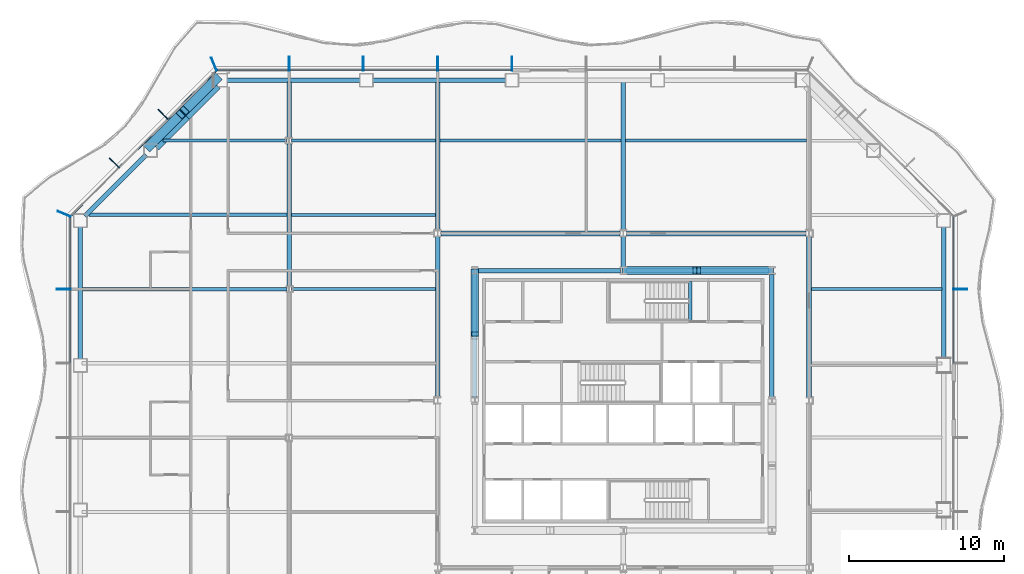
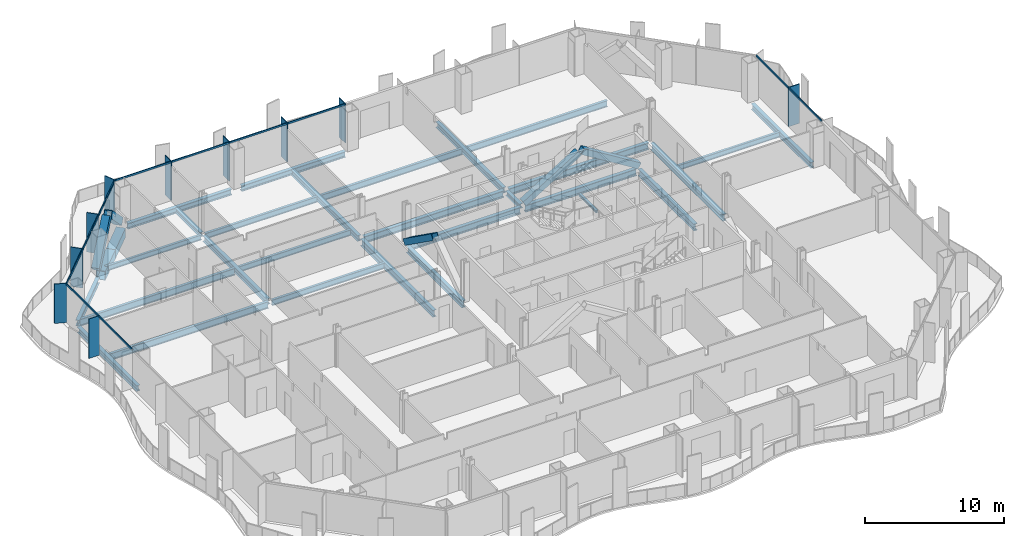
# One storey, part 3 of 18: 30 beams, 26 members, 4 elements without a shape of their own.
"""IFC4 building model written with IfcOpenShell, lengths in metres."""

from ifc_helpers import new_model, si_unit, direction, frame, origin, origin_2d, place, context, subcontext, project, spatial, rectangle, hollow_rectangle, i_section, extrude, material, material_profile, profile_set, type_object, element, aggregate, save


model = new_model("IFC4")

# Units and contexts
model_context = context("Model", 3, precision=1e-05, world=origin(), true_north=direction((0.0, 1.0)))
body_context = subcontext(model_context, "Body", "Model", "MODEL_VIEW")
ifc_project = project(units=[si_unit("LENGTHUNIT", "METRE"), si_unit("AREAUNIT", "SQUARE_METRE"), si_unit("VOLUMEUNIT", "CUBIC_METRE"), si_unit("PLANEANGLEUNIT", "RADIAN"), si_unit("MASSUNIT", "GRAM", prefix="KILO")], contexts=[model_context])

# Site, building, storey
site_placement = place(None, origin())
site = spatial("IfcSite", under=ifc_project, at=site_placement, CompositionType="ELEMENT")
building_placement = place(site_placement, origin())
building = spatial("IfcBuilding", under=site, at=building_placement, Name="Cairn Pilgrim Tower", CompositionType="ELEMENT")
storey_placement = place(building_placement, frame((0.0, 0.0, 72.60009765625)))
storey = spatial("IfcBuildingStorey", under=building, at=storey_placement, Name="L16", CompositionType="ELEMENT", Elevation=72.60009765625)

# Members
ifc_material_1 = material(Name="Structural steel S460M", Category="steel")
ifc_material_profile_1 = material_profile(ifc_material_1, hollow_rectangle(XDim=0.5, YDim=0.5, WallThickness=0.030029296875, at=origin_2d()), Name="BOX 500x500x30")
ifc_profile_set_1 = profile_set([ifc_material_profile_1], Name="Structural steel S460M")
member_type_1 = type_object("IfcMemberType", Name="BOX 500x500x30 BRACE", PredefinedType="BRACE", material=ifc_profile_set_1)
member_1_placement = place(storey_placement, frame((16.75634765625, 10.800048828125, 0.099853515625), z_axis=(-0.851002408489, 0.0, 0.525161785305), x_axis=(0.0, -1.0, 0.0)))
element("IfcMember", 1, at=member_1_placement, inside=storey, type_object=member_type_1, Name="KB-3A", PredefinedType="BRACE", context=body_context, shape_type="SweptSolid", body=[
    extrude(hollow_rectangle(XDim=0.5, YDim=0.5, WallThickness=0.030029296875, at=origin_2d()), origin(), (0.0, 0.0, 1.0), 5.526611328125),
])
member_2_placement = place(storey_placement, frame((7.24365234375, 10.800048828125, 0.099853515625), z_axis=(0.851007515624, 0.0, 0.525153509321), x_axis=(0.0, 1.0, 0.0)))
element("IfcMember", 2, at=member_2_placement, inside=storey, type_object=member_type_1, Name="KB-3B", PredefinedType="BRACE", context=body_context, shape_type="SweptSolid", body=[
    extrude(hollow_rectangle(XDim=0.5, YDim=0.5, WallThickness=0.030029296875, at=origin_2d()), origin(), (0.0, 0.0, 1.0), 5.37646484375),
])
member_3_placement = place(storey_placement, frame((-2.39990234375, 10.75634765625, 0.099853515625), z_axis=(0.0, -0.814175628242, 0.580618675532), x_axis=(1.0, 0.0, 0.0)))
element("IfcMember", 3, at=member_3_placement, inside=storey, type_object=member_type_1, Name="KB-4A", PredefinedType="BRACE", context=body_context, shape_type="SweptSolid", body=[
    extrude(hollow_rectangle(XDim=0.5, YDim=0.5, WallThickness=0.030029296875, at=origin_2d()), origin(), (0.0, 0.0, 1.0), 4.99658203125),
])
ifc_material_profile_2 = material_profile(ifc_material_1, hollow_rectangle(XDim=0.60009765625, YDim=0.60009765625, WallThickness=0.034912109375, at=origin_2d()), Name="BOX 600x600x35")
ifc_profile_set_2 = profile_set([ifc_material_profile_2], Name="Structural steel S460M")
member_type_2 = type_object("IfcMemberType", Name="BOX 600x600x35 BRACE", PredefinedType="BRACE", material=ifc_profile_set_2)
for number, where, z_axis, x_axis, name in (
    (4, (-19.078125, 23.2236328125, 0.14990234375), (-0.52892212789, -0.52892212789, 0.663688756314), (0.707106781187, -0.707106781187, 0.0), "XB-NW1-NW2-1"),
    (5, (-23.4873046875, 18.814697265625, 0.14990234375), (0.528939327604, 0.528877844478, 0.663710338426), (-0.70706568108, 0.707147878904, 0.0), "XB-NW1-NW2-2"),
):
    element("IfcMember", number, at=place(storey_placement, frame(where, z_axis=z_axis, x_axis=x_axis)), inside=storey, type_object=member_type_2, Name=name, PredefinedType="BRACE", context=body_context, shape_type="SweptSolid", body=[
        extrude(hollow_rectangle(XDim=0.60009765625, YDim=0.60009765625, WallThickness=0.034912109375, at=origin_2d()), origin(), (0.0, 0.0, 1.0), 3.970947265625),
    ])

# Beams
ifc_material_2 = material(Name="Structural steel S355J2", Category="steel")
ifc_material_profile_3 = material_profile(ifc_material_2, hollow_rectangle(XDim=0.699951171875, YDim=0.800048828125, WallThickness=0.0400390625, at=origin_2d()), Name="BOX 700x800x40")
ifc_profile_set_3 = profile_set([ifc_material_profile_3], Name="Structural steel S355J2")
beam_type_1 = type_object("IfcBeamType", Name="BOX 700x800x40 RING GIRDER", PredefinedType="SPANDREL", material=ifc_profile_set_3)
beam_1_placement = place(storey_placement, frame((-19.113525390625, 22.813720703125, -0.550048828125), z_axis=(-0.707106781187, -0.707106781187, 0.0), x_axis=(0.707106781187, -0.707106781187, 0.0)))
element("IfcBeam", 6, at=beam_1_placement, inside=storey, type_object=beam_type_1, Name="RG1-NW1-NW2-1", PredefinedType="SPANDREL", context=body_context, shape_type="SweptSolid", body=[
    extrude(hollow_rectangle(XDim=0.699951171875, YDim=0.800048828125, WallThickness=0.0400390625, at=origin_2d()), origin(), (0.0, 0.0, 1.0), 2.802978515625),
])
beam_2_placement = place(storey_placement, frame((-21.095458984375, 20.831787109375, -0.550048828125), z_axis=(-0.707106781187, -0.707106781187, 0.0), x_axis=(0.707106781187, -0.707106781187, 0.0)))
element("IfcBeam", 7, at=beam_2_placement, inside=storey, type_object=beam_type_1, Name="RG1-NW1-NW2-2", PredefinedType="SPANDREL", context=body_context, shape_type="SweptSolid", body=[
    extrude(hollow_rectangle(XDim=0.699951171875, YDim=0.800048828125, WallThickness=0.0400390625, at=origin_2d()), origin(), (0.0, 0.0, 1.0), 2.802490234375),
])

# Curtain wall, member
ifc_material_3 = material(Name="Aluminium alloy 6063-T6 bronze anodised with Bronze tinted laminated low-E glass 8+16+8.8", Category="aluminium")
curtain_wall_type_1 = type_object("IfcCurtainWallType", Name="TOWER STICK CURTAIN WALL EW", PredefinedType="NOTDEFINED", material=ifc_material_3)
curtain_wall_1_placement = place(storey_placement, origin())
curtain_wall_1 = element("IfcCurtainWall", 8, at=curtain_wall_1_placement, inside=storey, type_object=curtain_wall_type_1, Name="Tower Stick Curtain Wall Ew E", PredefinedType="NOTDEFINED")
ifc_material_4 = material(Name="Aluminium alloy 6063-T6 bronze anodised", Category="aluminium")
ifc_material_profile_4 = material_profile(ifc_material_4, rectangle(XDim=0.89990234375, YDim=0.06005859375, at=origin_2d()), Name="FIN MULLION 60x900 BRONZE")
ifc_profile_set_4 = profile_set([ifc_material_profile_4], Name="Aluminium alloy 6063-T6 bronze anodised")
member_type_3 = type_object("IfcMemberType", Name="FIN MULLION 60x900 BRONZE", PredefinedType="MULLION", material=ifc_profile_set_4)
member_4_placement = place(storey_placement, frame((28.969970703125, 9.60009765625, 0.0), z_axis=(0.0, 0.0, 1.0), x_axis=(1.0, 0.0, 0.0)))
member_4 = element("IfcMember", 9, at=member_4_placement, type_object=member_type_3, Name="Fin mullion E6", PredefinedType="MULLION", context=body_context, shape_type="SweptSolid", body=[
    extrude(rectangle(XDim=0.89990234375, YDim=0.06005859375, at=origin_2d()), origin(), (0.0, 0.0, 1.0), 3.449951171875),
])

# Curtain wall, members
curtain_wall_type_2 = type_object("IfcCurtainWallType", Name="TOWER STICK CURTAIN WALL NS", PredefinedType="NOTDEFINED", material=ifc_material_3)
curtain_wall_2_placement = place(storey_placement, origin())
curtain_wall_2 = element("IfcCurtainWall", 10, at=curtain_wall_2_placement, inside=storey, type_object=curtain_wall_type_2, Name="Tower Stick Curtain Wall Ns N", PredefinedType="NOTDEFINED")
member_5_placement = place(storey_placement, frame((0.0, 24.169921875, 0.0), z_axis=(0.0, 0.0, 1.0), x_axis=(0.0, 1.0, 0.0)))
member_5 = element("IfcMember", 11, at=member_5_placement, type_object=member_type_3, Name="Fin mullion N5", PredefinedType="MULLION", context=body_context, shape_type="SweptSolid", body=[
    extrude(rectangle(XDim=0.89990234375, YDim=0.06005859375, at=origin_2d()), origin(), (0.0, 0.0, 1.0), 3.449951171875),
])
member_6_placement = place(storey_placement, frame((-4.800048828125, 24.169921875, 0.0), z_axis=(0.0, 0.0, 1.0), x_axis=(0.0, 1.0, 0.0)))
member_6 = element("IfcMember", 12, at=member_6_placement, type_object=member_type_3, Name="Fin mullion N6", PredefinedType="MULLION", context=body_context, shape_type="SweptSolid", body=[
    extrude(rectangle(XDim=0.89990234375, YDim=0.06005859375, at=origin_2d()), origin(), (0.0, 0.0, 1.0), 3.449951171875),
])
member_7_placement = place(storey_placement, frame((-9.60009765625, 24.169921875, 0.0), z_axis=(0.0, 0.0, 1.0), x_axis=(0.0, 1.0, 0.0)))
member_7 = element("IfcMember", 13, at=member_7_placement, type_object=member_type_3, Name="Fin mullion N7", PredefinedType="MULLION", context=body_context, shape_type="SweptSolid", body=[
    extrude(rectangle(XDim=0.89990234375, YDim=0.06005859375, at=origin_2d()), origin(), (0.0, 0.0, 1.0), 3.449951171875),
])
member_8_placement = place(storey_placement, frame((-14.39990234375, 24.169921875, 0.0), z_axis=(0.0, 0.0, 1.0), x_axis=(0.0, 1.0, 0.0)))
member_8 = element("IfcMember", 14, at=member_8_placement, type_object=member_type_3, Name="Fin mullion N8", PredefinedType="MULLION", context=body_context, shape_type="SweptSolid", body=[
    extrude(rectangle(XDim=0.89990234375, YDim=0.06005859375, at=origin_2d()), origin(), (0.0, 0.0, 1.0), 3.449951171875),
])

curtain_wall_type_3 = type_object("IfcCurtainWallType", Name="CHAMFER CORNER CURTAIN WALL", PredefinedType="NOTDEFINED", material=ifc_material_3)
curtain_wall_3_placement = place(storey_placement, origin())
curtain_wall_3 = element("IfcCurtainWall", 15, at=curtain_wall_3_placement, inside=storey, type_object=curtain_wall_type_3, Name="Chamfer Corner Curtain Wall NW", PredefinedType="NOTDEFINED")
member_9_placement = place(storey_placement, frame((-19.257080078125, 24.137939453125, 0.0), z_axis=(0.0, 0.0, 1.0), x_axis=(-0.382683432365, 0.923879532511, 0.0)))
member_9 = element("IfcMember", 16, at=member_9_placement, type_object=member_type_3, Name="Fin mullion NW1", PredefinedType="MULLION", context=body_context, shape_type="SweptSolid", body=[
    extrude(rectangle(XDim=0.89990234375, YDim=0.06005859375, at=origin_2d()), origin(), (0.0, 0.0, 1.0), 3.449951171875),
])
member_10_placement = place(storey_placement, frame((-22.544677734375, 20.895751953125, 0.0), z_axis=(0.0, 0.0, 1.0), x_axis=(-0.707106781187, 0.707106781187, 0.0)))
member_10 = element("IfcMember", 17, at=member_10_placement, type_object=member_type_3, Name="Fin mullion NW2", PredefinedType="MULLION", context=body_context, shape_type="SweptSolid", body=[
    extrude(rectangle(XDim=0.89990234375, YDim=0.06005859375, at=origin_2d()), origin(), (0.0, 0.0, 1.0), 3.449951171875),
])
member_11_placement = place(storey_placement, frame((-25.69580078125, 17.74462890625, 0.0), z_axis=(0.0, 0.0, 1.0), x_axis=(-0.707106781187, 0.707106781187, 0.0)))
member_11 = element("IfcMember", 18, at=member_11_placement, type_object=member_type_3, Name="Fin mullion NW3", PredefinedType="MULLION", context=body_context, shape_type="SweptSolid", body=[
    extrude(rectangle(XDim=0.89990234375, YDim=0.06005859375, at=origin_2d()), origin(), (0.0, 0.0, 1.0), 3.449951171875),
])

curtain_wall_4_placement = place(storey_placement, origin())
curtain_wall_4 = element("IfcCurtainWall", 19, at=curtain_wall_4_placement, inside=storey, type_object=curtain_wall_type_1, Name="Tower Stick Curtain Wall Ew W", PredefinedType="NOTDEFINED")
member_12_placement = place(storey_placement, frame((-28.93798828125, 14.457275390625, 0.0), z_axis=(0.0, 0.0, 1.0), x_axis=(-0.923879532511, 0.382683432365, 0.0)))
member_12 = element("IfcMember", 20, at=member_12_placement, type_object=member_type_3, Name="Fin mullion W1", PredefinedType="MULLION", context=body_context, shape_type="SweptSolid", body=[
    extrude(rectangle(XDim=0.89990234375, YDim=0.06005859375, at=origin_2d()), origin(), (0.0, 0.0, 1.0), 3.449951171875),
])
member_13_placement = place(storey_placement, frame((-28.969970703125, 9.60009765625, 0.0), z_axis=(0.0, 0.0, 1.0), x_axis=(-1.0, 0.0, 0.0)))
member_13 = element("IfcMember", 21, at=member_13_placement, type_object=member_type_3, Name="Fin mullion W2", PredefinedType="MULLION", context=body_context, shape_type="SweptSolid", body=[
    extrude(rectangle(XDim=0.89990234375, YDim=0.06005859375, at=origin_2d()), origin(), (0.0, 0.0, 1.0), 3.449951171875),
])

# Beams
ifc_material_profile_5 = material_profile(ifc_material_2, i_section(OverallWidth=0.300048828125, OverallDepth=0.39990234375, WebThickness=0.013427734375, FlangeThickness=0.02392578125, FilletRadius=0.027099609375, at=origin_2d()), Name="HEB 400")
ifc_profile_set_5 = profile_set([ifc_material_profile_5], Name="Structural steel S355J2")
beam_type_2 = type_object("IfcBeamType", Name="HEB 400 GIRDER", PredefinedType="BEAM", material=ifc_profile_set_5)
beam_3_placement = place(storey_placement, frame((-14.39990234375, 19.404541015625, -0.35009765625), z_axis=(0.0, 1.0, 0.0), x_axis=(-1.0, 0.0, 0.0)))
element("IfcBeam", 22, at=beam_3_placement, inside=storey, type_object=beam_type_2, Name="PG1-6", PredefinedType="BEAM", context=body_context, shape_type="SweptSolid", body=[
    extrude(i_section(OverallWidth=0.300048828125, OverallDepth=0.39990234375, WebThickness=0.013427734375, FlangeThickness=0.02392578125, FilletRadius=0.027099609375, at=origin_2d()), origin(), (0.0, 0.0, 1.0), 3.575439453125),
])
beam_4_placement = place(storey_placement, frame((7.199951171875, 11.0185546875, -0.35009765625), z_axis=(0.0, 1.0, 0.0), x_axis=(-1.0, 0.0, 0.0)))
element("IfcBeam", 23, at=beam_4_placement, inside=storey, type_object=beam_type_2, Name="PG3-E2", PredefinedType="BEAM", context=body_context, shape_type="SweptSolid", body=[
    extrude(i_section(OverallWidth=0.300048828125, OverallDepth=0.39990234375, WebThickness=0.013427734375, FlangeThickness=0.02392578125, FilletRadius=0.027099609375, at=origin_2d()), origin(), (0.0, 0.0, 1.0), 1.969482421875),
])
ifc_material_profile_6 = material_profile(ifc_material_2, i_section(OverallWidth=0.300048828125, OverallDepth=0.5, WebThickness=0.014404296875, FlangeThickness=0.028076171875, FilletRadius=0.027099609375, at=origin_2d()), Name="HEB 500")
ifc_profile_set_6 = profile_set([ifc_material_profile_6], Name="Structural steel S355J2")
beam_type_3 = type_object("IfcBeamType", Name="HEB 500 GIRDER", PredefinedType="BEAM", material=ifc_profile_set_6)
beam_5_placement = place(storey_placement, frame((-14.39990234375, 9.804443359375, -0.400146484375), z_axis=(0.0, 1.0, 0.0), x_axis=(-1.0, 0.0, 0.0)))
element("IfcBeam", 24, at=beam_5_placement, inside=storey, type_object=beam_type_3, Name="PG1-5", PredefinedType="BEAM", context=body_context, shape_type="SweptSolid", body=[
    extrude(i_section(OverallWidth=0.300048828125, OverallDepth=0.5, WebThickness=0.014404296875, FlangeThickness=0.028076171875, FilletRadius=0.027099609375, at=origin_2d()), origin(), (0.0, 0.0, 1.0), 9.191162109375),
])
for number, where, z_axis, x_axis, name in (
    (25, (-4.800048828125, 13.412109375, -0.400146484375), (0.0, 1.0, 0.0), (-1.0, 0.0, 0.0), "PG2-4"),
    (26, (7.199951171875, 13.412109375, -0.400146484375), (0.0, 1.0, 0.0), (-1.0, 0.0, 0.0), "PG3-2"),
):
    element("IfcBeam", number, at=place(storey_placement, frame(where, z_axis=z_axis, x_axis=x_axis)), inside=storey, type_object=beam_type_3, Name=name, PredefinedType="BEAM", context=body_context, shape_type="SweptSolid", body=[
        extrude(i_section(OverallWidth=0.300048828125, OverallDepth=0.5, WebThickness=0.014404296875, FlangeThickness=0.028076171875, FilletRadius=0.027099609375, at=origin_2d()), origin(), (0.0, 0.0, 1.0), 9.56787109375),
    ])
ifc_material_profile_7 = material_profile(ifc_material_2, i_section(OverallWidth=0.300048828125, OverallDepth=0.5, WebThickness=0.014404296875, FlangeThickness=0.028076171875, FilletRadius=0.027099609375, at=origin_2d()), Name="HEB 500")
ifc_profile_set_7 = profile_set([ifc_material_profile_7], Name="Structural steel S355J2")
beam_type_4 = type_object("IfcBeamType", Name="HEB 500 RING GIRDER", PredefinedType="SPANDREL", material=ifc_profile_set_7)
beam_6_placement = place(storey_placement, frame((27.89990234375, 5.080810546875, -0.400146484375), z_axis=(0.0, 1.0, 0.0), x_axis=(-1.0, 0.0, 0.0)))
element("IfcBeam", 27, at=beam_6_placement, inside=storey, type_object=beam_type_4, Name="RG1-E3-NE1", PredefinedType="SPANDREL", context=body_context, shape_type="SweptSolid", body=[
    extrude(i_section(OverallWidth=0.300048828125, OverallDepth=0.5, WebThickness=0.014404296875, FlangeThickness=0.028076171875, FilletRadius=0.027099609375, at=origin_2d()), origin(), (0.0, 0.0, 1.0), 8.54150390625),
])
for number, where, z_axis, x_axis, name in (
    (28, (-0.405029296875, 23.10009765625, -0.400146484375), (-1.0, 0.0, 0.0), (0.0, -1.0, 0.0), "RG1-N3-N4"),
    (29, (-9.818603515625, 23.10009765625, -0.400146484375), (-1.0, 0.0, 0.0), (0.0, -1.0, 0.0), "RG1-N4-NW1"),
):
    element("IfcBeam", number, at=place(storey_placement, frame(where, z_axis=z_axis, x_axis=x_axis)), inside=storey, type_object=beam_type_4, Name=name, PredefinedType="SPANDREL", context=body_context, shape_type="SweptSolid", body=[
        extrude(i_section(OverallWidth=0.300048828125, OverallDepth=0.5, WebThickness=0.014404296875, FlangeThickness=0.028076171875, FilletRadius=0.027099609375, at=origin_2d()), origin(), (0.0, 0.0, 1.0), 8.603515625),
    ])
beam_7_placement = place(storey_placement, frame((-23.64990234375, 18.277099609375, -0.400146484375), z_axis=(-0.707128558756, -0.707085002947, 0.0), x_axis=(0.707085002947, -0.707128558756, 0.0)))
element("IfcBeam", 30, at=beam_7_placement, inside=storey, type_object=beam_type_4, Name="RG1-NW2-W1", PredefinedType="SPANDREL", context=body_context, shape_type="SweptSolid", body=[
    extrude(i_section(OverallWidth=0.300048828125, OverallDepth=0.5, WebThickness=0.014404296875, FlangeThickness=0.028076171875, FilletRadius=0.027099609375, at=origin_2d()), origin(), (0.0, 0.0, 1.0), 5.605224609375),
])
beam_8_placement = place(storey_placement, frame((-27.89990234375, 13.622314453125, -0.400146484375), z_axis=(0.0, -1.0, 0.0), x_axis=(1.0, 0.0, 0.0)))
element("IfcBeam", 31, at=beam_8_placement, inside=storey, type_object=beam_type_4, Name="RG1-W1-W2", PredefinedType="SPANDREL", context=body_context, shape_type="SweptSolid", body=[
    extrude(i_section(OverallWidth=0.300048828125, OverallDepth=0.5, WebThickness=0.014404296875, FlangeThickness=0.028076171875, FilletRadius=0.027099609375, at=origin_2d()), origin(), (0.0, 0.0, 1.0), 8.54150390625),
])
ifc_material_profile_8 = material_profile(ifc_material_2, i_section(OverallWidth=0.300048828125, OverallDepth=0.60009765625, WebThickness=0.015380859375, FlangeThickness=0.030029296875, FilletRadius=0.027099609375, at=origin_2d()), Name="HEB 600")
ifc_profile_set_8 = profile_set([ifc_material_profile_8], Name="Structural steel S355J2")
beam_type_5 = type_object("IfcBeamType", Name="HEB 600 CORE BEAM", PredefinedType="BEAM", material=ifc_profile_set_8)
beam_9_placement = place(storey_placement, frame((16.800048828125, 2.5966796875, -0.4501953125), z_axis=(0.0, 1.0, 0.0), x_axis=(-1.0, 0.0, 0.0)))
element("IfcBeam", 32, at=beam_9_placement, inside=storey, type_object=beam_type_5, Name="CB-4", PredefinedType="BEAM", context=body_context, shape_type="SweptSolid", body=[
    extrude(i_section(OverallWidth=0.300048828125, OverallDepth=0.60009765625, WebThickness=0.015380859375, FlangeThickness=0.030029296875, FilletRadius=0.027099609375, at=origin_2d()), origin(), (0.0, 0.0, 1.0), 8.0068359375),
])
beam_10_placement = place(storey_placement, frame((16.603271484375, 10.800048828125, -0.4501953125), z_axis=(-1.0, 0.0, 0.0), x_axis=(0.0, -1.0, 0.0)))
element("IfcBeam", 33, at=beam_10_placement, inside=storey, type_object=beam_type_5, Name="CB-5", PredefinedType="BEAM", context=body_context, shape_type="SweptSolid", body=[
    extrude(i_section(OverallWidth=0.300048828125, OverallDepth=0.60009765625, WebThickness=0.015380859375, FlangeThickness=0.030029296875, FilletRadius=0.027099609375, at=origin_2d()), origin(), (0.0, 0.0, 1.0), 9.20654296875),
])
beam_11_placement = place(storey_placement, frame((7.00341796875, 10.800048828125, -0.4501953125), z_axis=(-1.0, 0.0, 0.0), x_axis=(0.0, -1.0, 0.0)))
element("IfcBeam", 34, at=beam_11_placement, inside=storey, type_object=beam_type_5, Name="CB-6", PredefinedType="BEAM", context=body_context, shape_type="SweptSolid", body=[
    extrude(i_section(OverallWidth=0.300048828125, OverallDepth=0.60009765625, WebThickness=0.015380859375, FlangeThickness=0.030029296875, FilletRadius=0.027099609375, at=origin_2d()), origin(), (0.0, 0.0, 1.0), 9.206787109375),
])
beam_12_placement = place(storey_placement, frame((-2.39990234375, 10.603515625, -0.4501953125), z_axis=(0.0, -1.0, 0.0), x_axis=(1.0, 0.0, 0.0)))
element("IfcBeam", 35, at=beam_12_placement, inside=storey, type_object=beam_type_5, Name="CB-7", PredefinedType="BEAM", context=body_context, shape_type="SweptSolid", body=[
    extrude(i_section(OverallWidth=0.300048828125, OverallDepth=0.60009765625, WebThickness=0.015380859375, FlangeThickness=0.030029296875, FilletRadius=0.027099609375, at=origin_2d()), origin(), (0.0, 0.0, 1.0), 8.0068359375),
])
ifc_material_profile_9 = material_profile(ifc_material_2, i_section(OverallWidth=0.300048828125, OverallDepth=0.60009765625, WebThickness=0.015380859375, FlangeThickness=0.030029296875, FilletRadius=0.027099609375, at=origin_2d()), Name="HEB 600")
ifc_profile_set_9 = profile_set([ifc_material_profile_9], Name="Structural steel S355J2")
beam_type_6 = type_object("IfcBeamType", Name="HEB 600 GIRDER", PredefinedType="BEAM", material=ifc_profile_set_9)
for number, where, z_axis, x_axis, name in (
    (36, (-4.800048828125, 2.612060546875, -0.4501953125), (0.0, 1.0, 0.0), (-1.0, 0.0, 0.0), "PG2-3"),
    (37, (19.199951171875, 2.612060546875, -0.4501953125), (0.0, 1.0, 0.0), (-1.0, 0.0, 0.0), "PG4-3"),
):
    element("IfcBeam", number, at=place(storey_placement, frame(where, z_axis=z_axis, x_axis=x_axis)), inside=storey, type_object=beam_type_6, Name=name, PredefinedType="BEAM", context=body_context, shape_type="SweptSolid", body=[
        extrude(i_section(OverallWidth=0.300048828125, OverallDepth=0.60009765625, WebThickness=0.015380859375, FlangeThickness=0.030029296875, FilletRadius=0.027099609375, at=origin_2d()), origin(), (0.0, 0.0, 1.0), 10.3759765625),
    ])
ifc_material_profile_10 = material_profile(ifc_material_2, i_section(OverallWidth=0.300048828125, OverallDepth=0.60009765625, WebThickness=0.015380859375, FlangeThickness=0.030029296875, FilletRadius=0.027099609375, at=origin_2d()), Name="HEB 600")
ifc_profile_set_10 = profile_set([ifc_material_profile_10], Name="Structural steel S355J2")
beam_type_7 = type_object("IfcBeamType", Name="HEB 600 INNER GIRDER", PredefinedType="BEAM", material=ifc_profile_set_10)
for number, where, z_axis, x_axis, name in (
    (38, (-4.587890625, 13.199951171875, -0.4501953125), (1.0, 0.0, 0.0), (0.0, 1.0, 0.0), "IG2-1"),
    (39, (7.412109375, 13.199951171875, -0.4501953125), (1.0, 0.0, 0.0), (0.0, 1.0, 0.0), "IG2-2"),
):
    element("IfcBeam", number, at=place(storey_placement, frame(where, z_axis=z_axis, x_axis=x_axis)), inside=storey, type_object=beam_type_7, Name=name, PredefinedType="BEAM", context=body_context, shape_type="SweptSolid", body=[
        extrude(i_section(OverallWidth=0.300048828125, OverallDepth=0.60009765625, WebThickness=0.015380859375, FlangeThickness=0.030029296875, FilletRadius=0.027099609375, at=origin_2d()), origin(), (0.0, 0.0, 1.0), 11.575927734375),
    ])
ifc_material_profile_11 = material_profile(ifc_material_2, i_section(OverallWidth=0.18994140625, OverallDepth=0.449951171875, WebThickness=0.009521484375, FlangeThickness=0.0146484375, FilletRadius=0.02099609375, at=origin_2d()), Name="IPE 450")
ifc_profile_set_11 = profile_set([ifc_material_profile_11], Name="Structural steel S355J2")
beam_type_8 = type_object("IfcBeamType", Name="IPE 450 SECONDARY BEAM", PredefinedType="JOIST", material=ifc_profile_set_11)
beam_13_placement = place(storey_placement, frame((19.35009765625, 9.60009765625, -0.375), z_axis=(1.0, 0.0, 0.0), x_axis=(0.0, 1.0, 0.0)))
element("IfcBeam", 40, at=beam_13_placement, inside=storey, type_object=beam_type_8, Name="SB7-3", PredefinedType="JOIST", context=body_context, shape_type="SweptSolid", body=[
    extrude(i_section(OverallWidth=0.18994140625, OverallDepth=0.449951171875, WebThickness=0.009521484375, FlangeThickness=0.0146484375, FilletRadius=0.02099609375, at=origin_2d()), origin(), (0.0, 0.0, 1.0), 8.429931640625),
])
beam_14_placement = place(storey_placement, frame((-22.545166015625, 19.199951171875, -0.375), z_axis=(1.0, 0.0, 0.0), x_axis=(0.0, 1.0, 0.0)))
element("IfcBeam", 41, at=beam_14_placement, inside=storey, type_object=beam_type_8, Name="SB9-1", PredefinedType="JOIST", context=body_context, shape_type="SweptSolid", body=[
    extrude(i_section(OverallWidth=0.18994140625, OverallDepth=0.449951171875, WebThickness=0.009521484375, FlangeThickness=0.0146484375, FilletRadius=0.02099609375, at=origin_2d()), origin(), (0.0, 0.0, 1.0), 7.9951171875),
])
ifc_material_profile_12 = material_profile(ifc_material_2, i_section(OverallWidth=0.199951171875, OverallDepth=0.5, WebThickness=0.01025390625, FlangeThickness=0.01611328125, FilletRadius=0.02099609375, at=origin_2d()), Name="IPE 500")
ifc_profile_set_12 = profile_set([ifc_material_profile_12], Name="Structural steel S355J2")
beam_type_9 = type_object("IfcBeamType", Name="IPE 500 SECONDARY BEAM", PredefinedType="JOIST", material=ifc_profile_set_12)
for number, where, z_axis, x_axis, name in (
    (42, (-14.25, 9.60009765625, -0.400146484375), (1.0, 0.0, 0.0), (0.0, 1.0, 0.0), "SB7-2"),
    (43, (-14.25, 14.39990234375, -0.400146484375), (1.0, 0.0, 0.0), (0.0, 1.0, 0.0), "SB8-2"),
    (44, (-14.25, 19.199951171875, -0.400146484375), (1.0, 0.0, 0.0), (0.0, 1.0, 0.0), "SB9-2"),
):
    element("IfcBeam", number, at=place(storey_placement, frame(where, z_axis=z_axis, x_axis=x_axis)), inside=storey, type_object=beam_type_9, Name=name, PredefinedType="JOIST", context=body_context, shape_type="SweptSolid", body=[
        extrude(i_section(OverallWidth=0.199951171875, OverallDepth=0.5, WebThickness=0.01025390625, FlangeThickness=0.01611328125, FilletRadius=0.02099609375, at=origin_2d()), origin(), (0.0, 0.0, 1.0), 9.300048828125),
    ])
ifc_material_profile_13 = material_profile(ifc_material_2, i_section(OverallWidth=0.2099609375, OverallDepth=0.550048828125, WebThickness=0.010986328125, FlangeThickness=0.01708984375, FilletRadius=0.02392578125, at=origin_2d()), Name="IPE 550")
ifc_profile_set_13 = profile_set([ifc_material_profile_13], Name="Structural steel S355J2")
beam_type_10 = type_object("IfcBeamType", Name="IPE 550 SECONDARY BEAM", PredefinedType="JOIST", material=ifc_profile_set_13)
for number, where, z_axis, x_axis, name in (
    (45, (-4.64990234375, 19.199951171875, -0.425048828125), (1.0, 0.0, 0.0), (0.0, 1.0, 0.0), "SB9-3"),
    (46, (7.35009765625, 19.199951171875, -0.425048828125), (1.0, 0.0, 0.0), (0.0, 1.0, 0.0), "SB9-4"),
):
    element("IfcBeam", number, at=place(storey_placement, frame(where, z_axis=z_axis, x_axis=x_axis)), inside=storey, type_object=beam_type_10, Name=name, PredefinedType="JOIST", context=body_context, shape_type="SweptSolid", body=[
        extrude(i_section(OverallWidth=0.2099609375, OverallDepth=0.550048828125, WebThickness=0.010986328125, FlangeThickness=0.01708984375, FilletRadius=0.02392578125, at=origin_2d()), origin(), (0.0, 0.0, 1.0), 11.699951171875),
    ])
ifc_material_profile_14 = material_profile(ifc_material_2, i_section(OverallWidth=0.219970703125, OverallDepth=0.60009765625, WebThickness=0.011962890625, FlangeThickness=0.01904296875, FilletRadius=0.02392578125, at=origin_2d()), Name="IPE 600")
ifc_profile_set_14 = profile_set([ifc_material_profile_14], Name="Structural steel S355J2")
beam_type_11 = type_object("IfcBeamType", Name="IPE 600 SECONDARY BEAM", PredefinedType="JOIST", material=ifc_profile_set_14)
beam_15_placement = place(storey_placement, frame((-27.780029296875, 9.60009765625, -0.4501953125), z_axis=(1.0, 0.0, 0.0), x_axis=(0.0, 1.0, 0.0)))
element("IfcBeam", 47, at=beam_15_placement, inside=storey, type_object=beam_type_11, Name="SB7-1", PredefinedType="JOIST", context=body_context, shape_type="SweptSolid", body=[
    extrude(i_section(OverallWidth=0.219970703125, OverallDepth=0.60009765625, WebThickness=0.011962890625, FlangeThickness=0.01904296875, FilletRadius=0.02392578125, at=origin_2d()), origin(), (0.0, 0.0, 1.0), 13.22998046875),
])
beam_16_placement = place(storey_placement, frame((-27.34521484375, 14.39990234375, -0.4501953125), z_axis=(1.0, 0.0, 0.0), x_axis=(0.0, 1.0, 0.0)))
element("IfcBeam", 48, at=beam_16_placement, inside=storey, type_object=beam_type_11, Name="SB8-1", PredefinedType="JOIST", context=body_context, shape_type="SweptSolid", body=[
    extrude(i_section(OverallWidth=0.219970703125, OverallDepth=0.60009765625, WebThickness=0.011962890625, FlangeThickness=0.01904296875, FilletRadius=0.02392578125, at=origin_2d()), origin(), (0.0, 0.0, 1.0), 12.795166015625),
])
ifc_material_profile_15 = material_profile(ifc_material_2, i_section(OverallWidth=0.199951171875, OverallDepth=0.199951171875, WebThickness=0.009033203125, FlangeThickness=0.014892578125, FilletRadius=0.01806640625, at=origin_2d()), Name="HE 200 B")
ifc_profile_set_15 = profile_set([ifc_material_profile_15], Name="Structural steel S355J2")
beam_type_12 = type_object("IfcBeamType", Name="STAIR LANDING BEAM HE 200 B", PredefinedType="BEAM", material=ifc_profile_set_15)
beam_17_placement = place(storey_placement, frame((11.5244140625, 10.10009765625, -0.25), z_axis=(0.0, -1.0, 0.0), x_axis=(1.0, 0.0, 0.0)))
element("IfcBeam", 49, at=beam_17_placement, inside=storey, type_object=beam_type_12, Name="STAIR LANDING BEAM LD-HE200B", PredefinedType="BEAM", context=body_context, shape_type="SweptSolid", body=[
    extrude(i_section(OverallWidth=0.199951171875, OverallDepth=0.199951171875, WebThickness=0.009033203125, FlangeThickness=0.014892578125, FilletRadius=0.01806640625, at=origin_2d()), origin(), (0.0, 0.0, 1.0), 2.525146484375),
])

# Member
ifc_material_profile_16 = material_profile(ifc_material_4, rectangle(XDim=0.080078125, YDim=0.14990234375, at=origin_2d()), Name="TRANSOM 80x150 BRONZE")
ifc_profile_set_16 = profile_set([ifc_material_profile_16], Name="Aluminium alloy 6063-T6 bronze anodised")
member_type_4 = type_object("IfcMemberType", Name="TRANSOM 80x150 BRONZE", PredefinedType="USERDEFINED", material=ifc_profile_set_16)
member_14_placement = place(storey_placement, frame((28.550048828125, 4.830078125, 3.375), z_axis=(0.0, 1.0, 0.0), x_axis=(-1.0, 0.0, 0.0)))
member_14 = element("IfcMember", 50, at=member_14_placement, type_object=member_type_4, Name="Transom E5", ObjectType="TRANSOM", PredefinedType="USERDEFINED", context=body_context, shape_type="SweptSolid", body=[
    extrude(rectangle(XDim=0.080078125, YDim=0.14990234375, at=origin_2d()), origin(), (0.0, 0.0, 1.0), 4.739990234375),
])

member_15_placement = place(storey_placement, frame((28.550048828125, 9.6298828125, 3.375), z_axis=(0.0, 1.0, 0.0), x_axis=(-1.0, 0.0, 0.0)))
member_15 = element("IfcMember", 51, at=member_15_placement, type_object=member_type_4, Name="Transom E6", ObjectType="TRANSOM", PredefinedType="USERDEFINED", context=body_context, shape_type="SweptSolid", body=[
    extrude(rectangle(XDim=0.080078125, YDim=0.14990234375, at=origin_2d()), origin(), (0.0, 0.0, 1.0), 4.62646484375),
])

aggregate(curtain_wall_1, [member_4, member_14, member_15])

member_16_placement = place(storey_placement, frame((-0.030029296875, 23.75, 3.375), z_axis=(-1.0, 0.0, 0.0), x_axis=(0.0, -1.0, 0.0)))
member_16 = element("IfcMember", 52, at=member_16_placement, type_object=member_type_4, Name="Transom N5", ObjectType="TRANSOM", PredefinedType="USERDEFINED", context=body_context, shape_type="SweptSolid", body=[
    extrude(rectangle(XDim=0.080078125, YDim=0.14990234375, at=origin_2d()), origin(), (0.0, 0.0, 1.0), 4.739990234375),
])

member_17_placement = place(storey_placement, frame((-4.830078125, 23.75, 3.375), z_axis=(-1.0, 0.0, 0.0), x_axis=(0.0, -1.0, 0.0)))
member_17 = element("IfcMember", 53, at=member_17_placement, type_object=member_type_4, Name="Transom N6", ObjectType="TRANSOM", PredefinedType="USERDEFINED", context=body_context, shape_type="SweptSolid", body=[
    extrude(rectangle(XDim=0.080078125, YDim=0.14990234375, at=origin_2d()), origin(), (0.0, 0.0, 1.0), 4.739990234375),
])

member_18_placement = place(storey_placement, frame((-9.6298828125, 23.75, 3.375), z_axis=(-1.0, 0.0, 0.0), x_axis=(0.0, -1.0, 0.0)))
member_18 = element("IfcMember", 54, at=member_18_placement, type_object=member_type_4, Name="Transom N7", ObjectType="TRANSOM", PredefinedType="USERDEFINED", context=body_context, shape_type="SweptSolid", body=[
    extrude(rectangle(XDim=0.080078125, YDim=0.14990234375, at=origin_2d()), origin(), (0.0, 0.0, 1.0), 4.740234375),
])

member_19_placement = place(storey_placement, frame((-14.429931640625, 23.75, 3.375), z_axis=(-1.0, 0.0, 0.0), x_axis=(0.0, -1.0, 0.0)))
member_19 = element("IfcMember", 55, at=member_19_placement, type_object=member_type_4, Name="Transom N8", ObjectType="TRANSOM", PredefinedType="USERDEFINED", context=body_context, shape_type="SweptSolid", body=[
    extrude(rectangle(XDim=0.080078125, YDim=0.14990234375, at=origin_2d()), origin(), (0.0, 0.0, 1.0), 4.62646484375),
])

aggregate(curtain_wall_2, [member_5, member_6, member_7, member_8, member_16, member_17, member_18, member_19])

member_20_placement = place(storey_placement, frame((-19.124755859375, 23.7216796875, 3.375), z_axis=(-0.707106781187, -0.707106781187, 0.0), x_axis=(0.707106781187, -0.707106781187, 0.0)))
member_20 = element("IfcMember", 56, at=member_20_placement, type_object=member_type_4, Name="Transom NW1", ObjectType="TRANSOM", PredefinedType="USERDEFINED", context=body_context, shape_type="SweptSolid", body=[
    extrude(rectangle(XDim=0.080078125, YDim=0.14990234375, at=origin_2d()), origin(), (0.0, 0.0, 1.0), 4.38623046875),
])

member_21_placement = place(storey_placement, frame((-22.268798828125, 20.57763671875, 3.375), z_axis=(-0.707106781187, -0.707106781187, 0.0), x_axis=(0.707106781187, -0.707106781187, 0.0)))
member_21 = element("IfcMember", 57, at=member_21_placement, type_object=member_type_4, Name="Transom NW2", ObjectType="TRANSOM", PredefinedType="USERDEFINED", context=body_context, shape_type="SweptSolid", body=[
    extrude(rectangle(XDim=0.080078125, YDim=0.14990234375, at=origin_2d()), origin(), (0.0, 0.0, 1.0), 4.396728515625),
])

member_22_placement = place(storey_placement, frame((-25.419921875, 17.426513671875, 3.375), z_axis=(-0.707106781187, -0.707106781187, 0.0), x_axis=(0.707106781187, -0.707106781187, 0.0)))
member_22 = element("IfcMember", 58, at=member_22_placement, type_object=member_type_4, Name="Transom NW3", ObjectType="TRANSOM", PredefinedType="USERDEFINED", context=body_context, shape_type="SweptSolid", body=[
    extrude(rectangle(XDim=0.080078125, YDim=0.14990234375, at=origin_2d()), origin(), (0.0, 0.0, 1.0), 4.38671875),
])

aggregate(curtain_wall_3, [member_9, member_10, member_11, member_20, member_21, member_22])

member_23_placement = place(storey_placement, frame((-28.550048828125, 14.25634765625, 3.375), z_axis=(0.0, -1.0, 0.0), x_axis=(1.0, 0.0, 0.0)))
member_23 = element("IfcMember", 59, at=member_23_placement, type_object=member_type_4, Name="Transom W1", ObjectType="TRANSOM", PredefinedType="USERDEFINED", context=body_context, shape_type="SweptSolid", body=[
    extrude(rectangle(XDim=0.080078125, YDim=0.14990234375, at=origin_2d()), origin(), (0.0, 0.0, 1.0), 4.62646484375),
])

member_24_placement = place(storey_placement, frame((-28.550048828125, 9.570068359375, 3.375), z_axis=(0.0, -1.0, 0.0), x_axis=(1.0, 0.0, 0.0)))
member_24 = element("IfcMember", 60, at=member_24_placement, type_object=member_type_4, Name="Transom W2", ObjectType="TRANSOM", PredefinedType="USERDEFINED", context=body_context, shape_type="SweptSolid", body=[
    extrude(rectangle(XDim=0.080078125, YDim=0.14990234375, at=origin_2d()), origin(), (0.0, 0.0, 1.0), 4.739990234375),
])

aggregate(curtain_wall_4, [member_12, member_13, member_23, member_24])

save(model, "model.ifc")
